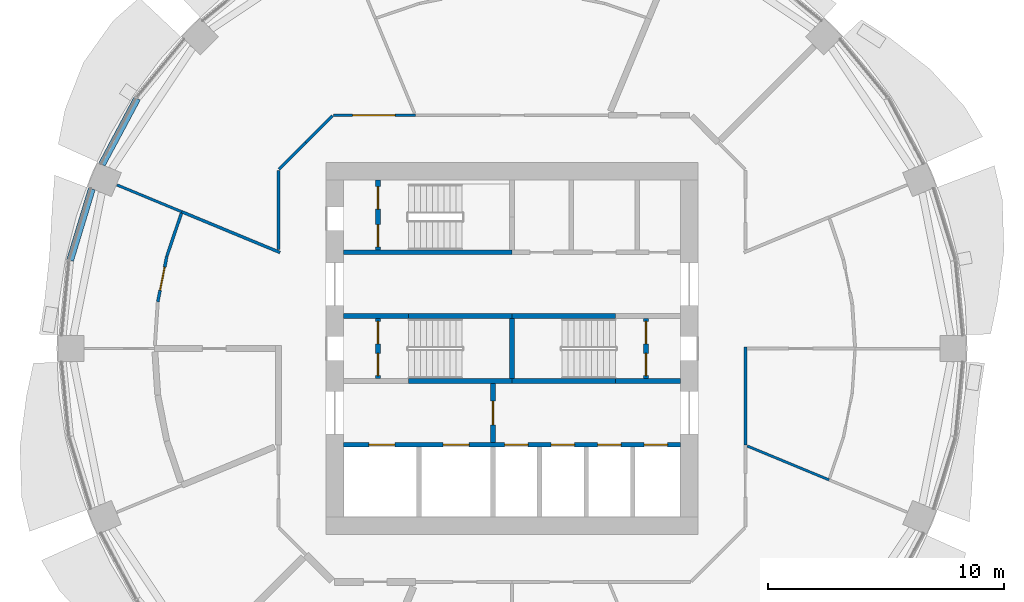
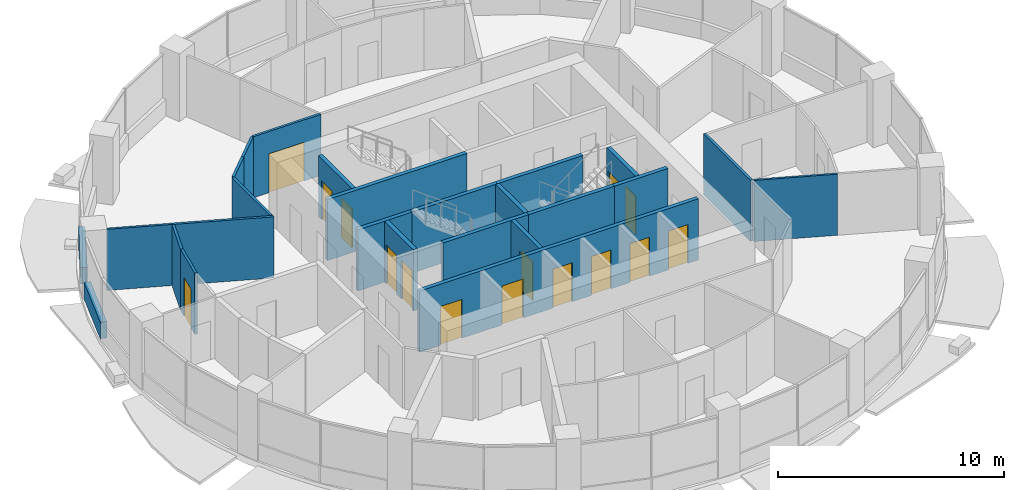
# One storey, part 8 of 14: 25 walls, 15 doors, 15 openings.
"""IFC4 building model written with IfcOpenShell, lengths in metres."""

from ifc_helpers import new_model, si_unit, direction, frame, frame_2d, origin, place, context, subcontext, project, spatial, rectangle, extrude, material, layer, layer_set, type_object, element, fill, save


model = new_model("IFC4")

# Units and contexts
model_context = context("Model", 3, precision=1e-05, world=origin(), true_north=direction((0.0, 1.0)))
body_context = subcontext(model_context, "Body", "Model", "MODEL_VIEW")
ifc_project = project(units=[si_unit("LENGTHUNIT", "METRE"), si_unit("AREAUNIT", "SQUARE_METRE"), si_unit("VOLUMEUNIT", "CUBIC_METRE"), si_unit("PLANEANGLEUNIT", "RADIAN"), si_unit("MASSUNIT", "GRAM", prefix="KILO")], contexts=[model_context])

# Site, building, storey
site_placement = place(None, origin())
site = spatial("IfcSite", under=ifc_project, at=site_placement, CompositionType="ELEMENT")
building_placement = place(site_placement, origin())
building = spatial("IfcBuilding", under=site, at=building_placement, Name="Polderwave Tower", CompositionType="ELEMENT")
storey_placement = place(building_placement, frame((0.0, 0.0, 98.300048828125)))
storey = spatial("IfcBuildingStorey", under=building, at=storey_placement, Name="L25", CompositionType="ELEMENT", Elevation=98.300048828125)

# Walls
ifc_material_1 = material(Name="Concrete C50/60 (board-marked)", Category="concrete")
ifc_layer_1 = layer(ifc_material_1, 0.300048828125)
ifc_layer_set_1 = layer_set([ifc_layer_1], Name="Concrete spandrel upstand C50/60")
wall_type_1 = type_object("IfcWallType", Name="Concrete spandrel upstand C50/60", PredefinedType="SOLIDWALL", material=ifc_layer_set_1)
wall_1_placement = place(storey_placement, frame((-15.863037109375, 10.581787109375, 0.0), z_axis=(0.0, 0.0, 1.0), x_axis=(-0.471238306932, -0.882005928597, 0.0)))
element("IfcWall", 1, at=wall_1_placement, inside=storey, type_object=wall_type_1, Name="Spandrel L25 7b", PredefinedType="SOLIDWALL", context=body_context, shape_type="SweptSolid", body=[
    extrude(rectangle(XDim=3.1572265625, YDim=0.300048828125, at=frame_2d((1.57861328125, 0.0))), origin(), (0.0, 0.0, 1.0), 0.89990234375),
])
wall_2_placement = place(storey_placement, frame((-17.782470703125, 6.755615234375, 0.0), z_axis=(0.0, 0.0, 1.0), x_axis=(-0.290503096001, -0.956874051907, 0.0)))
element("IfcWall", 2, at=wall_2_placement, inside=storey, type_object=wall_type_1, Name="Spandrel L25 8a", PredefinedType="SOLIDWALL", context=body_context, shape_type="SweptSolid", body=[
    extrude(rectangle(XDim=3.157470703125, YDim=0.300048828125, at=frame_2d((1.57861328125, 0.0))), origin(), (0.0, 0.0, 1.0), 0.89990234375),
])

# Wall, opening, door
ifc_material_2 = material(Name="Gypsum board partition")
ifc_layer_2 = layer(ifc_material_2, 0.199951171875)
ifc_layer_set_2 = layer_set([ifc_layer_2], Name="Core room partition 200")
wall_type_2 = type_object("IfcWallType", Name="Core room partition 200", PredefinedType="PARTITIONING", material=ifc_layer_set_2)
wall_3_placement = place(storey_placement, frame((-0.800048828125, -3.97412109375, 0.0), z_axis=(0.0, 0.0, 1.0), x_axis=(0.0, 1.0, 0.0)))
wall_3 = element("IfcWall", 3, at=wall_3_placement, inside=storey, type_object=wall_type_2, Name="L25 fire-fighting lobby wall", PredefinedType="PARTITIONING", context=body_context, shape_type="SweptSolid", body=[
    extrude(rectangle(XDim=2.4990234375, YDim=0.199951171875, at=frame_2d((1.24951171875, 0.0))), origin(), (0.0, 0.0, 1.0), 3.300048828125),
])
opening_1_placement = place(wall_3_placement, frame((0.74951171875, 0.0, 0.0)))
opening_1 = element("IfcOpeningElement", 4, at=opening_1_placement, cuts=wall_3, Name="Opening L25-D13", PredefinedType="OPENING", context=body_context, shape_type="SweptSolid", body=[
    extrude(rectangle(XDim=1.0, YDim=2.10009765625, at=frame_2d((0.5, 1.050048828125))), frame((0.0, 0.10986328125, 0.0), z_axis=(0.0, -1.0, 0.0), x_axis=(1.0, 0.0, 0.0)), (0.0, 0.0, 1.0), 0.219970703125),
])
ifc_material_3 = material(Name="Steel fire door", Category="steel")
door_type_1 = type_object("IfcDoorType", Name="Lobby fire door 1000", OperationType="NOTDEFINED", PredefinedType="DOOR", material=ifc_material_3)
door_1_placement = place(opening_1_placement, frame((1.0, 0.0, 0.0), z_axis=(0.0, 0.0, 1.0), x_axis=(-1.0, 0.0, 0.0)))
door_1 = element("IfcDoor", 5, at=door_1_placement, inside=storey, type_object=door_type_1, Name="Fire-fighting lobby door", OperationType="SINGLE_SWING_LEFT", OverallHeight=2.10009765625, OverallWidth=1.0, PredefinedType="DOOR", context=body_context, shape_type="SweptSolid", body=[
    extrude(rectangle(XDim=1.0, YDim=2.10009765625, at=frame_2d((0.5, 1.050048828125))), frame((0.0, 0.02490234375, 0.0), z_axis=(0.0, -1.0, 0.0), x_axis=(1.0, 0.0, 0.0)), (0.0, 0.0, 1.0), 0.050048828125),
])
fill(opening_1, door_1)

# Wall, openings, doors
wall_4_placement = place(storey_placement, frame((-5.674072265625, -1.27490234375, 0.0), z_axis=(0.0, 0.0, 1.0), x_axis=(0.0, 1.0, 0.0)))
wall_4 = element("IfcWall", 6, at=wall_4_placement, inside=storey, type_object=wall_type_2, Name="L25 smoke lobby wall A", PredefinedType="PARTITIONING", context=body_context, shape_type="SweptSolid", body=[
    extrude(rectangle(XDim=2.5498046875, YDim=0.199951171875, at=frame_2d((1.27490234375, 0.0))), origin(), (0.0, 0.0, 1.0), 3.300048828125),
])
opening_2_placement = place(wall_4_placement, frame((0.125, 0.0, 0.0)))
opening_2 = element("IfcOpeningElement", 7, at=opening_2_placement, cuts=wall_4, Name="Opening L25-D07", PredefinedType="OPENING", context=body_context, shape_type="SweptSolid", body=[
    extrude(rectangle(XDim=0.949951171875, YDim=2.10009765625, at=frame_2d((0.47509765625, 1.050048828125))), frame((0.0, 0.10986328125, 0.0), z_axis=(0.0, -1.0, 0.0), x_axis=(1.0, 0.0, 0.0)), (0.0, 0.0, 1.0), 0.219970703125),
])
opening_3_placement = place(wall_4_placement, frame((1.47509765625, 0.0, 0.0)))
opening_3 = element("IfcOpeningElement", 8, at=opening_3_placement, cuts=wall_4, Name="Opening L25-D08", PredefinedType="OPENING", context=body_context, shape_type="SweptSolid", body=[
    extrude(rectangle(XDim=0.949951171875, YDim=2.10009765625, at=frame_2d((0.47509765625, 1.050048828125))), frame((0.0, 0.10986328125, 0.0), z_axis=(0.0, -1.0, 0.0), x_axis=(1.0, 0.0, 0.0)), (0.0, 0.0, 1.0), 0.219970703125),
])
door_type_2 = type_object("IfcDoorType", Name="Smoke lobby door 950", OperationType="NOTDEFINED", PredefinedType="DOOR", material=ifc_material_3)
door_2_placement = place(opening_2_placement, origin())
door_2 = element("IfcDoor", 9, at=door_2_placement, inside=storey, type_object=door_type_2, Name="Stair A smoke lobby inner door", OperationType="SINGLE_SWING_LEFT", OverallHeight=2.10009765625, OverallWidth=0.949951171875, PredefinedType="DOOR", context=body_context, shape_type="SweptSolid", body=[
    extrude(rectangle(XDim=0.949951171875, YDim=2.10009765625, at=frame_2d((0.47509765625, 1.050048828125))), frame((0.0, 0.02490234375, 0.0), z_axis=(0.0, -1.0, 0.0), x_axis=(1.0, 0.0, 0.0)), (0.0, 0.0, 1.0), 0.050048828125),
])
fill(opening_2, door_2)
door_3_placement = place(opening_3_placement, origin())
door_3 = element("IfcDoor", 10, at=door_3_placement, inside=storey, type_object=door_type_2, Name="Stair A smoke lobby inner door", OperationType="SINGLE_SWING_RIGHT", OverallHeight=2.10009765625, OverallWidth=0.949951171875, PredefinedType="DOOR", context=body_context, shape_type="SweptSolid", body=[
    extrude(rectangle(XDim=0.949951171875, YDim=2.10009765625, at=frame_2d((0.47509765625, 1.050048828125))), frame((0.0, 0.02490234375, 0.0), z_axis=(0.0, -1.0, 0.0), x_axis=(1.0, 0.0, 0.0)), (0.0, 0.0, 1.0), 0.050048828125),
])
fill(opening_3, door_3)

wall_5_placement = place(storey_placement, frame((5.674072265625, -1.27490234375, 0.0), z_axis=(0.0, 0.0, 1.0), x_axis=(0.0, 1.0, 0.0)))
wall_5 = element("IfcWall", 11, at=wall_5_placement, inside=storey, type_object=wall_type_2, Name="L25 smoke lobby wall B", PredefinedType="PARTITIONING", context=body_context, shape_type="SweptSolid", body=[
    extrude(rectangle(XDim=2.5498046875, YDim=0.199951171875, at=frame_2d((1.27490234375, 0.0))), origin(), (0.0, 0.0, 1.0), 3.300048828125),
])
opening_4_placement = place(wall_5_placement, frame((0.125, 0.0, 0.0)))
opening_4 = element("IfcOpeningElement", 12, at=opening_4_placement, cuts=wall_5, Name="Opening L25-D09", PredefinedType="OPENING", context=body_context, shape_type="SweptSolid", body=[
    extrude(rectangle(XDim=0.949951171875, YDim=2.10009765625, at=frame_2d((0.47509765625, 1.050048828125))), frame((0.0, 0.10986328125, 0.0), z_axis=(0.0, -1.0, 0.0), x_axis=(1.0, 0.0, 0.0)), (0.0, 0.0, 1.0), 0.219970703125),
])
opening_5_placement = place(wall_5_placement, frame((1.47509765625, 0.0, 0.0)))
opening_5 = element("IfcOpeningElement", 13, at=opening_5_placement, cuts=wall_5, Name="Opening L25-D10", PredefinedType="OPENING", context=body_context, shape_type="SweptSolid", body=[
    extrude(rectangle(XDim=0.949951171875, YDim=2.10009765625, at=frame_2d((0.47509765625, 1.050048828125))), frame((0.0, 0.10986328125, 0.0), z_axis=(0.0, -1.0, 0.0), x_axis=(1.0, 0.0, 0.0)), (0.0, 0.0, 1.0), 0.219970703125),
])
door_4_placement = place(opening_4_placement, frame((0.949951171875, 0.0, 0.0), z_axis=(0.0, 0.0, 1.0), x_axis=(-1.0, 0.0, 0.0)))
door_4 = element("IfcDoor", 14, at=door_4_placement, inside=storey, type_object=door_type_2, Name="Stair B smoke lobby inner door", OperationType="SINGLE_SWING_RIGHT", OverallHeight=2.10009765625, OverallWidth=0.949951171875, PredefinedType="DOOR", context=body_context, shape_type="SweptSolid", body=[
    extrude(rectangle(XDim=0.949951171875, YDim=2.10009765625, at=frame_2d((0.47509765625, 1.050048828125))), frame((0.0, 0.02490234375, 0.0), z_axis=(0.0, -1.0, 0.0), x_axis=(1.0, 0.0, 0.0)), (0.0, 0.0, 1.0), 0.050048828125),
])
fill(opening_4, door_4)
door_5_placement = place(opening_5_placement, frame((0.949951171875, 0.0, 0.0), z_axis=(0.0, 0.0, 1.0), x_axis=(-1.0, 0.0, 0.0)))
door_5 = element("IfcDoor", 15, at=door_5_placement, inside=storey, type_object=door_type_2, Name="Stair B smoke lobby inner door", OperationType="SINGLE_SWING_LEFT", OverallHeight=2.10009765625, OverallWidth=0.949951171875, PredefinedType="DOOR", context=body_context, shape_type="SweptSolid", body=[
    extrude(rectangle(XDim=0.949951171875, YDim=2.10009765625, at=frame_2d((0.47509765625, 1.050048828125))), frame((0.0, 0.02490234375, 0.0), z_axis=(0.0, -1.0, 0.0), x_axis=(1.0, 0.0, 0.0)), (0.0, 0.0, 1.0), 0.050048828125),
])
fill(opening_5, door_5)

wall_6_placement = place(storey_placement, frame((-5.674072265625, 4.174072265625, 0.0), z_axis=(0.0, 0.0, 1.0), x_axis=(0.0, 1.0, 0.0)))
wall_6 = element("IfcWall", 16, at=wall_6_placement, inside=storey, type_object=wall_type_2, Name="L25 smoke lobby wall C", PredefinedType="PARTITIONING", context=body_context, shape_type="SweptSolid", body=[
    extrude(rectangle(XDim=2.949951171875, YDim=0.199951171875, at=frame_2d((1.47509765625, 0.0))), origin(), (0.0, 0.0, 1.0), 3.300048828125),
])
opening_6_placement = place(wall_6_placement, frame((0.125, 0.0, 0.0)))
opening_6 = element("IfcOpeningElement", 17, at=opening_6_placement, cuts=wall_6, Name="Opening L25-D11", PredefinedType="OPENING", context=body_context, shape_type="SweptSolid", body=[
    extrude(rectangle(XDim=0.949951171875, YDim=2.10009765625, at=frame_2d((0.47509765625, 1.050048828125))), frame((0.0, 0.10986328125, 0.0), z_axis=(0.0, -1.0, 0.0), x_axis=(1.0, 0.0, 0.0)), (0.0, 0.0, 1.0), 0.219970703125),
])
opening_7_placement = place(wall_6_placement, frame((1.72509765625, 0.0, 0.0)))
opening_7 = element("IfcOpeningElement", 18, at=opening_7_placement, cuts=wall_6, Name="Opening L25-D12", PredefinedType="OPENING", context=body_context, shape_type="SweptSolid", body=[
    extrude(rectangle(XDim=0.949951171875, YDim=2.10009765625, at=frame_2d((0.47509765625, 1.050048828125))), frame((0.0, 0.10986328125, 0.0), z_axis=(0.0, -1.0, 0.0), x_axis=(1.0, 0.0, 0.0)), (0.0, 0.0, 1.0), 0.219970703125),
])
door_6_placement = place(opening_6_placement, origin())
door_6 = element("IfcDoor", 19, at=door_6_placement, inside=storey, type_object=door_type_2, Name="Stair C smoke lobby inner door", OperationType="SINGLE_SWING_LEFT", OverallHeight=2.10009765625, OverallWidth=0.949951171875, PredefinedType="DOOR", context=body_context, shape_type="SweptSolid", body=[
    extrude(rectangle(XDim=0.949951171875, YDim=2.10009765625, at=frame_2d((0.47509765625, 1.050048828125))), frame((0.0, 0.02490234375, 0.0), z_axis=(0.0, -1.0, 0.0), x_axis=(1.0, 0.0, 0.0)), (0.0, 0.0, 1.0), 0.050048828125),
])
fill(opening_6, door_6)
door_7_placement = place(opening_7_placement, origin())
door_7 = element("IfcDoor", 20, at=door_7_placement, inside=storey, type_object=door_type_2, Name="Stair C smoke lobby inner door", OperationType="SINGLE_SWING_RIGHT", OverallHeight=2.10009765625, OverallWidth=0.949951171875, PredefinedType="DOOR", context=body_context, shape_type="SweptSolid", body=[
    extrude(rectangle(XDim=0.949951171875, YDim=2.10009765625, at=frame_2d((0.47509765625, 1.050048828125))), frame((0.0, 0.02490234375, 0.0), z_axis=(0.0, -1.0, 0.0), x_axis=(1.0, 0.0, 0.0)), (0.0, 0.0, 1.0), 0.050048828125),
])
fill(opening_7, door_7)

ifc_material_4 = material(Name="Concrete C50/60", Category="concrete")
ifc_layer_3 = layer(ifc_material_4, 0.199951171875)
ifc_layer_set_3 = layer_set([ifc_layer_3], Name="Core web wall 200")
wall_type_3 = type_object("IfcWallType", Name="Core web wall 200", PredefinedType="SHEAR", material=ifc_layer_set_3)
wall_7_placement = place(storey_placement, frame((-7.1240234375, -4.073974609375, 0.0), z_axis=(0.0, 0.0, 1.0), x_axis=(1.0, 0.0, 0.0)))
wall_7 = element("IfcWall", 21, at=wall_7_placement, inside=storey, type_object=wall_type_3, Name="L25 south front wall", PredefinedType="SHEAR", context=body_context, shape_type="SweptSolid", body=[
    extrude(rectangle(XDim=14.248046875, YDim=0.199951171875, at=frame_2d((7.1240234375, 0.0))), origin(), (0.0, 0.0, 1.0), 3.300048828125),
])
opening_8_placement = place(wall_7_placement, frame((1.068603515625, 0.0, 0.0)))
opening_8 = element("IfcOpeningElement", 22, at=opening_8_placement, cuts=wall_7, Name="Opening L25-D01", PredefinedType="OPENING", context=body_context, shape_type="SweptSolid", body=[
    extrude(rectangle(XDim=1.10009765625, YDim=2.10009765625, at=frame_2d((0.550048828125, 1.050048828125))), frame((0.0, 0.10986328125, 0.0), z_axis=(0.0, -1.0, 0.0), x_axis=(1.0, 0.0, 0.0)), (0.0, 0.0, 1.0), 0.219970703125),
])
opening_9_placement = place(wall_7_placement, frame((4.20556640625, 0.0, 0.0)))
opening_9 = element("IfcOpeningElement", 23, at=opening_9_placement, cuts=wall_7, Name="Opening L25-D02", PredefinedType="OPENING", context=body_context, shape_type="SweptSolid", body=[
    extrude(rectangle(XDim=1.10009765625, YDim=2.10009765625, at=frame_2d((0.550048828125, 1.050048828125))), frame((0.0, 0.10986328125, 0.0), z_axis=(0.0, -1.0, 0.0), x_axis=(1.0, 0.0, 0.0)), (0.0, 0.0, 1.0), 0.219970703125),
])
opening_10_placement = place(wall_7_placement, frame((6.80810546875, 0.0, 0.0)))
opening_10 = element("IfcOpeningElement", 24, at=opening_10_placement, cuts=wall_7, Name="Opening L25-D03", PredefinedType="OPENING", context=body_context, shape_type="SweptSolid", body=[
    extrude(rectangle(XDim=1.0, YDim=2.10009765625, at=frame_2d((0.5, 1.050048828125))), frame((0.0, 0.10986328125, 0.0), z_axis=(0.0, -1.0, 0.0), x_axis=(1.0, 0.0, 0.0)), (0.0, 0.0, 1.0), 0.219970703125),
])
opening_11_placement = place(wall_7_placement, frame((8.776611328125, 0.0, 0.0)))
opening_11 = element("IfcOpeningElement", 25, at=opening_11_placement, cuts=wall_7, Name="Opening L25-D04", PredefinedType="OPENING", context=body_context, shape_type="SweptSolid", body=[
    extrude(rectangle(XDim=1.0, YDim=2.10009765625, at=frame_2d((0.5, 1.050048828125))), frame((0.0, 0.10986328125, 0.0), z_axis=(0.0, -1.0, 0.0), x_axis=(1.0, 0.0, 0.0)), (0.0, 0.0, 1.0), 0.219970703125),
])
opening_12_placement = place(wall_7_placement, frame((10.7451171875, 0.0, 0.0)))
opening_12 = element("IfcOpeningElement", 26, at=opening_12_placement, cuts=wall_7, Name="Opening L25-D05", PredefinedType="OPENING", context=body_context, shape_type="SweptSolid", body=[
    extrude(rectangle(XDim=1.0, YDim=2.10009765625, at=frame_2d((0.5, 1.050048828125))), frame((0.0, 0.10986328125, 0.0), z_axis=(0.0, -1.0, 0.0), x_axis=(1.0, 0.0, 0.0)), (0.0, 0.0, 1.0), 0.219970703125),
])
opening_13_placement = place(wall_7_placement, frame((12.7138671875, 0.0, 0.0)))
opening_13 = element("IfcOpeningElement", 27, at=opening_13_placement, cuts=wall_7, Name="Opening L25-D06", PredefinedType="OPENING", context=body_context, shape_type="SweptSolid", body=[
    extrude(rectangle(XDim=1.0, YDim=2.10009765625, at=frame_2d((0.5, 1.050048828125))), frame((0.0, 0.10986328125, 0.0), z_axis=(0.0, -1.0, 0.0), x_axis=(1.0, 0.0, 0.0)), (0.0, 0.0, 1.0), 0.219970703125),
])
ifc_material_5 = material(Name="Stainless steel", Category="steel")
door_type_3 = type_object("IfcDoorType", Name="Fire-fighting lift landing door 1100", OperationType="DOUBLE_DOOR_SLIDING", PredefinedType="DOOR", material=ifc_material_5)
door_8_placement = place(opening_8_placement, origin())
door_8 = element("IfcDoor", 28, at=door_8_placement, inside=storey, type_object=door_type_3, Name="Fire-fighting lift FF1 landing door", OperationType="DOUBLE_DOOR_SLIDING", OverallHeight=2.10009765625, OverallWidth=1.10009765625, PredefinedType="DOOR", context=body_context, shape_type="SweptSolid", body=[
    extrude(rectangle(XDim=1.10009765625, YDim=2.10009765625, at=frame_2d((0.550048828125, 1.050048828125))), frame((0.0, 0.02490234375, 0.0), z_axis=(0.0, -1.0, 0.0), x_axis=(1.0, 0.0, 0.0)), (0.0, 0.0, 1.0), 0.050048828125),
])
fill(opening_8, door_8)
door_9_placement = place(opening_9_placement, origin())
door_9 = element("IfcDoor", 29, at=door_9_placement, inside=storey, type_object=door_type_3, Name="Fire-fighting lift FF2 landing door", OperationType="DOUBLE_DOOR_SLIDING", OverallHeight=2.10009765625, OverallWidth=1.10009765625, PredefinedType="DOOR", context=body_context, shape_type="SweptSolid", body=[
    extrude(rectangle(XDim=1.10009765625, YDim=2.10009765625, at=frame_2d((0.550048828125, 1.050048828125))), frame((0.0, 0.02490234375, 0.0), z_axis=(0.0, -1.0, 0.0), x_axis=(1.0, 0.0, 0.0)), (0.0, 0.0, 1.0), 0.050048828125),
])
fill(opening_9, door_9)
door_type_4 = type_object("IfcDoorType", Name="Lift landing door 1000", OperationType="DOUBLE_DOOR_SLIDING", PredefinedType="DOOR", material=ifc_material_5)
door_10_placement = place(opening_10_placement, origin())
door_10 = element("IfcDoor", 30, at=door_10_placement, inside=storey, type_object=door_type_4, Name="Lift LL1 landing door", OperationType="DOUBLE_DOOR_SLIDING", OverallHeight=2.10009765625, OverallWidth=1.0, PredefinedType="DOOR", context=body_context, shape_type="SweptSolid", body=[
    extrude(rectangle(XDim=1.0, YDim=2.10009765625, at=frame_2d((0.5, 1.050048828125))), frame((0.0, 0.02490234375, 0.0), z_axis=(0.0, -1.0, 0.0), x_axis=(1.0, 0.0, 0.0)), (0.0, 0.0, 1.0), 0.050048828125),
])
fill(opening_10, door_10)
door_11_placement = place(opening_11_placement, origin())
door_11 = element("IfcDoor", 31, at=door_11_placement, inside=storey, type_object=door_type_4, Name="Lift LL2 landing door", OperationType="DOUBLE_DOOR_SLIDING", OverallHeight=2.10009765625, OverallWidth=1.0, PredefinedType="DOOR", context=body_context, shape_type="SweptSolid", body=[
    extrude(rectangle(XDim=1.0, YDim=2.10009765625, at=frame_2d((0.5, 1.050048828125))), frame((0.0, 0.02490234375, 0.0), z_axis=(0.0, -1.0, 0.0), x_axis=(1.0, 0.0, 0.0)), (0.0, 0.0, 1.0), 0.050048828125),
])
fill(opening_11, door_11)
door_12_placement = place(opening_12_placement, origin())
door_12 = element("IfcDoor", 32, at=door_12_placement, inside=storey, type_object=door_type_4, Name="Lift LL3 landing door", OperationType="DOUBLE_DOOR_SLIDING", OverallHeight=2.10009765625, OverallWidth=1.0, PredefinedType="DOOR", context=body_context, shape_type="SweptSolid", body=[
    extrude(rectangle(XDim=1.0, YDim=2.10009765625, at=frame_2d((0.5, 1.050048828125))), frame((0.0, 0.02490234375, 0.0), z_axis=(0.0, -1.0, 0.0), x_axis=(1.0, 0.0, 0.0)), (0.0, 0.0, 1.0), 0.050048828125),
])
fill(opening_12, door_12)
door_13_placement = place(opening_13_placement, origin())
door_13 = element("IfcDoor", 33, at=door_13_placement, inside=storey, type_object=door_type_4, Name="Lift LL4 landing door", OperationType="DOUBLE_DOOR_SLIDING", OverallHeight=2.10009765625, OverallWidth=1.0, PredefinedType="DOOR", context=body_context, shape_type="SweptSolid", body=[
    extrude(rectangle(XDim=1.0, YDim=2.10009765625, at=frame_2d((0.5, 1.050048828125))), frame((0.0, 0.02490234375, 0.0), z_axis=(0.0, -1.0, 0.0), x_axis=(1.0, 0.0, 0.0)), (0.0, 0.0, 1.0), 0.050048828125),
])
fill(opening_13, door_13)

# Walls
wall_8_placement = place(storey_placement, frame((-7.1240234375, 4.073974609375, 0.0), z_axis=(0.0, 0.0, 1.0), x_axis=(1.0, 0.0, 0.0)))
element("IfcWall", 34, at=wall_8_placement, inside=storey, type_object=wall_type_3, Name="L25 north front wall 1", PredefinedType="SHEAR", context=body_context, shape_type="SweptSolid", body=[
    extrude(rectangle(XDim=7.1240234375, YDim=0.199951171875, at=frame_2d((3.56201171875, 0.0))), origin(), (0.0, 0.0, 1.0), 3.300048828125),
])
for number, where, z_axis, x_axis, name in (
    (35, (-4.3740234375, -1.375, 0.0), (0.0, 0.0, 1.0), (1.0, 0.0, 0.0), "L25 south stair wall 2"),
    (36, (0.0, -1.375, 0.0), (0.0, 0.0, 1.0), (1.0, 0.0, 0.0), "L25 south stair wall 3"),
):
    element("IfcWall", number, at=place(storey_placement, frame(where, z_axis=z_axis, x_axis=x_axis)), inside=storey, type_object=wall_type_3, Name=name, PredefinedType="SHEAR", context=body_context, shape_type="SweptSolid", body=[
        extrude(rectangle(XDim=4.3740234375, YDim=0.199951171875, at=frame_2d((2.18701171875, 0.0))), origin(), (0.0, 0.0, 1.0), 3.300048828125),
    ])
for number, where, z_axis, x_axis, name in (
    (37, (4.3740234375, -1.375, 0.0), (0.0, 0.0, 1.0), (1.0, 0.0, 0.0), "L25 south stair wall 4"),
    (38, (-7.1240234375, 1.375, 0.0), (0.0, 0.0, 1.0), (1.0, 0.0, 0.0), "L25 north stair wall 1"),
):
    element("IfcWall", number, at=place(storey_placement, frame(where, z_axis=z_axis, x_axis=x_axis)), inside=storey, type_object=wall_type_3, Name=name, PredefinedType="SHEAR", context=body_context, shape_type="SweptSolid", body=[
        extrude(rectangle(XDim=2.75, YDim=0.199951171875, at=frame_2d((1.375, 0.0))), origin(), (0.0, 0.0, 1.0), 3.300048828125),
    ])
for number, where, z_axis, x_axis, name in (
    (39, (-4.3740234375, 1.375, 0.0), (0.0, 0.0, 1.0), (1.0, 0.0, 0.0), "L25 north stair wall 2"),
    (40, (0.0, 1.375, 0.0), (0.0, 0.0, 1.0), (1.0, 0.0, 0.0), "L25 north stair wall 3"),
):
    element("IfcWall", number, at=place(storey_placement, frame(where, z_axis=z_axis, x_axis=x_axis)), inside=storey, type_object=wall_type_3, Name=name, PredefinedType="SHEAR", context=body_context, shape_type="SweptSolid", body=[
        extrude(rectangle(XDim=4.3740234375, YDim=0.199951171875, at=frame_2d((2.18701171875, 0.0))), origin(), (0.0, 0.0, 1.0), 3.300048828125),
    ])
wall_9_placement = place(storey_placement, frame((0.0, -1.27490234375, 0.0), z_axis=(0.0, 0.0, 1.0), x_axis=(0.0, 1.0, 0.0)))
element("IfcWall", 41, at=wall_9_placement, inside=storey, type_object=wall_type_3, Name="L25 wall between the stairs", PredefinedType="SHEAR", context=body_context, shape_type="SweptSolid", body=[
    extrude(rectangle(XDim=2.5498046875, YDim=0.199951171875, at=frame_2d((1.27490234375, 0.0))), origin(), (0.0, 0.0, 1.0), 3.300048828125),
])
ifc_material_6 = material(Name="Fire-resisting board on steel studs", Category="steel")
ifc_layer_4 = layer(ifc_material_6, 0.125)
ifc_layer_set_4 = layer_set([ifc_layer_4], Name="Corridor wall 125 mm EI 60")
wall_type_4 = type_object("IfcWallType", Name="Corridor wall 125 mm EI 60", PredefinedType="PARTITIONING", material=ifc_layer_set_4)
wall_10_placement = place(storey_placement, frame((9.8740234375, 0.0625, 0.0), z_axis=(0.0, 0.0, 1.0), x_axis=(0.0, -1.0, 0.0)))
element("IfcWall", 42, at=wall_10_placement, inside=storey, type_object=wall_type_4, Name="IN-L25-W005", PredefinedType="PARTITIONING", context=body_context, shape_type="SweptSolid", body=[
    extrude(rectangle(XDim=4.15234375, YDim=0.125, at=frame_2d((2.076171875, 0.0))), origin(), (0.0, 0.0, 1.0), 3.300048828125),
])
wall_11_placement = place(storey_placement, frame((-8.722412109375, 8.722412109375, 0.0), z_axis=(0.0, 0.0, 1.0), x_axis=(0.707030604857, 0.70718294931, 0.0)))
element("IfcWall", 43, at=wall_11_placement, inside=storey, type_object=wall_type_4, Name="IN-L25-W009", PredefinedType="PARTITIONING", context=body_context, shape_type="SweptSolid", body=[
    extrude(rectangle(XDim=1.6025390625, YDim=0.125, at=frame_2d((0.80126953125, 0.0))), origin(), (0.0, 0.0, 1.0), 3.300048828125),
])

# Wall, opening, door
wall_12_placement = place(storey_placement, frame((-7.545166015625, 9.8740234375, 0.0), z_axis=(0.0, 0.0, 1.0), x_axis=(1.0, 0.0, 0.0)))
wall_12 = element("IfcWall", 44, at=wall_12_placement, inside=storey, type_object=wall_type_4, Name="IN-L25-W010", PredefinedType="PARTITIONING", context=body_context, shape_type="SweptSolid", body=[
    extrude(rectangle(XDim=3.455322265625, YDim=0.125, at=frame_2d((1.7275390625, 0.0))), origin(), (0.0, 0.0, 1.0), 3.300048828125),
])
opening_14_placement = place(wall_12_placement, frame((0.800048828125, 0.0, 0.0)))
opening_14 = element("IfcOpeningElement", 45, at=opening_14_placement, cuts=wall_12, Name="Opening L25-D54", PredefinedType="OPENING", context=body_context, shape_type="SweptSolid", body=[
    extrude(rectangle(XDim=1.800048828125, YDim=2.10009765625, at=frame_2d((0.89990234375, 1.050048828125))), frame((0.0, 0.072509765625, 0.0), z_axis=(0.0, -1.0, 0.0), x_axis=(1.0, 0.0, 0.0)), (0.0, 0.0, 1.0), 0.14501953125),
])
ifc_material_7 = material(Name="Timber fire door leaves", Category="wood")
door_type_5 = type_object("IfcDoorType", Name="Double fire door FD30S 1800 x 2100", OperationType="NOTDEFINED", PredefinedType="DOOR", material=ifc_material_7)
door_14_placement = place(opening_14_placement, origin())
door_14 = element("IfcDoor", 46, at=door_14_placement, inside=storey, type_object=door_type_5, Name="Door L25-D54", OperationType="DOUBLE_DOOR_SINGLE_SWING", OverallHeight=2.10009765625, OverallWidth=1.800048828125, PredefinedType="DOOR", context=body_context, shape_type="SweptSolid", body=[
    extrude(rectangle(XDim=1.800048828125, YDim=2.10009765625, at=frame_2d((0.89990234375, 1.050048828125))), frame((0.0, 0.02490234375, 0.0), z_axis=(0.0, -1.0, 0.0), x_axis=(1.0, 0.0, 0.0)), (0.0, 0.0, 1.0), 0.050048828125),
])
fill(opening_14, door_14)

# Walls
wall_13_placement = place(storey_placement, frame((-9.8740234375, 4.183349609375, 0.0), z_axis=(0.0, 0.0, 1.0), x_axis=(0.0, 1.0, 0.0)))
element("IfcWall", 47, at=wall_13_placement, inside=storey, type_object=wall_type_4, Name="IN-L25-W011", PredefinedType="PARTITIONING", context=body_context, shape_type="SweptSolid", body=[
    extrude(rectangle(XDim=3.36181640625, YDim=0.125, at=frame_2d((1.680908203125, 0.0))), origin(), (0.0, 0.0, 1.0), 3.300048828125),
])
wall_14_placement = place(storey_placement, frame((-9.855712890625, 7.58935546875, 0.0), z_axis=(0.0, 0.0, 1.0), x_axis=(0.70718294931, 0.707030604857, 0.0)))
element("IfcWall", 48, at=wall_14_placement, inside=storey, type_object=wall_type_4, Name="IN-L25-W012", PredefinedType="PARTITIONING", context=body_context, shape_type="SweptSolid", body=[
    extrude(rectangle(XDim=1.6025390625, YDim=0.125, at=frame_2d((0.80126953125, 0.0))), origin(), (0.0, 0.0, 1.0), 3.300048828125),
])
wall_15_placement = place(storey_placement, frame((-9.81640625, 4.06591796875, 0.0), z_axis=(0.0, 0.0, 1.0), x_axis=(-0.923867212496, 0.382713174158, 0.0)))
element("IfcWall", 49, at=wall_15_placement, inside=storey, type_object=wall_type_4, Name="IN-L25-W041", PredefinedType="PARTITIONING", context=body_context, shape_type="SweptSolid", body=[
    extrude(rectangle(XDim=4.494873046875, YDim=0.125, at=frame_2d((2.24755859375, 0.0))), origin(), (0.0, 0.0, 1.0), 3.300048828125),
])

# Wall, opening, door
wall_16_placement = place(storey_placement, frame((-14.98974609375, 1.9775390625, 0.0), z_axis=(0.0, 0.0, 1.0), x_axis=(0.194995562173, 0.980804124549, 0.0)))
wall_16 = element("IfcWall", 50, at=wall_16_placement, inside=storey, type_object=wall_type_4, Name="IN-L25-W044", PredefinedType="PARTITIONING", context=body_context, shape_type="SweptSolid", body=[
    extrude(rectangle(XDim=1.969482421875, YDim=0.125, at=frame_2d((0.98486328125, 0.0))), origin(), (0.0, 0.0, 1.0), 3.300048828125),
])
opening_15_placement = place(wall_16_placement, frame((0.5, 0.0, 0.0)))
opening_15 = element("IfcOpeningElement", 51, at=opening_15_placement, cuts=wall_16, Name="Opening L25-D63", PredefinedType="OPENING", context=body_context, shape_type="SweptSolid", body=[
    extrude(rectangle(XDim=1.0, YDim=2.10009765625, at=frame_2d((0.5, 1.050048828125))), frame((0.0, 0.072509765625, 0.0), z_axis=(0.0, -1.0, 0.0), x_axis=(1.0, 0.0, 0.0)), (0.0, 0.0, 1.0), 0.14501953125),
])
ifc_material_8 = material(Name="Timber fire door leaf", Category="wood")
door_type_6 = type_object("IfcDoorType", Name="Fire door FD30S 1000 x 2100", OperationType="NOTDEFINED", PredefinedType="DOOR", material=ifc_material_8)
door_15_placement = place(opening_15_placement, origin())
door_15 = element("IfcDoor", 52, at=door_15_placement, inside=storey, type_object=door_type_6, Name="Door L25-D63", OperationType="SINGLE_SWING_RIGHT", OverallHeight=2.10009765625, OverallWidth=1.0, PredefinedType="DOOR", context=body_context, shape_type="SweptSolid", body=[
    extrude(rectangle(XDim=1.0, YDim=2.10009765625, at=frame_2d((0.5, 1.050048828125))), frame((0.0, 0.02490234375, 0.0), z_axis=(0.0, -1.0, 0.0), x_axis=(1.0, 0.0, 0.0)), (0.0, 0.0, 1.0), 0.050048828125),
])
fill(opening_15, door_15)

# Walls
wall_17_placement = place(storey_placement, frame((-14.603515625, 3.917236328125, 0.0), z_axis=(0.0, 0.0, 1.0), x_axis=(0.321484961169, 0.946914684511, 0.0)))
element("IfcWall", 53, at=wall_17_placement, inside=storey, type_object=wall_type_4, Name="IN-L25-W045", PredefinedType="PARTITIONING", context=body_context, shape_type="SweptSolid", body=[
    extrude(rectangle(XDim=1.906982421875, YDim=0.125, at=frame_2d((0.95361328125, 0.0))), origin(), (0.0, 0.0, 1.0), 3.300048828125),
])
ifc_material_9 = material(Name="Moisture-resistant board on steel studs, tiled", Category="steel")
ifc_layer_5 = layer(ifc_material_9, 0.10498046875)
ifc_layer_set_5 = layer_set([ifc_layer_5], Name="Partition 105 mm wet room board and tile")
wall_type_5 = type_object("IfcWallType", Name="Partition 105 mm wet room board and tile", PredefinedType="PARTITIONING", material=ifc_layer_set_5)
wall_18_placement = place(storey_placement, frame((9.95654296875, -4.1240234375, 0.0), z_axis=(0.0, 0.0, 1.0), x_axis=(0.923887259949, -0.382664776147, 0.0)))
element("IfcWall", 54, at=wall_18_placement, inside=storey, type_object=wall_type_5, Name="IN-L25-W065", PredefinedType="PARTITIONING", context=body_context, shape_type="SweptSolid", body=[
    extrude(rectangle(XDim=3.7431640625, YDim=0.10498046875, at=frame_2d((1.87158203125, 0.0))), origin(), (0.0, 0.0, 1.0), 3.300048828125),
])
ifc_material_10 = material(Name="Acoustic double plasterboard on steel studs", Category="steel")
ifc_layer_6 = layer(ifc_material_10, 0.110107421875)
ifc_layer_set_6 = layer_set([ifc_layer_6], Name="Partition 110 mm acoustic double board")
wall_type_6 = type_object("IfcWallType", Name="Partition 110 mm acoustic double board", PredefinedType="PARTITIONING", material=ifc_layer_set_6)
wall_19_placement = place(storey_placement, frame((-13.968994140625, 5.7861328125, 0.0), z_axis=(0.0, 0.0, 1.0), x_axis=(-0.923889594764, 0.382659139036, 0.0)))
element("IfcWall", 55, at=wall_19_placement, inside=storey, type_object=wall_type_6, Name="IN-L25-W042", PredefinedType="PARTITIONING", context=body_context, shape_type="SweptSolid", body=[
    extrude(rectangle(XDim=2.969970703125, YDim=0.110107421875, at=frame_2d((1.48486328125, 0.0))), origin(), (0.0, 0.0, 1.0), 3.300048828125),
])

save(model, "model.ifc")
